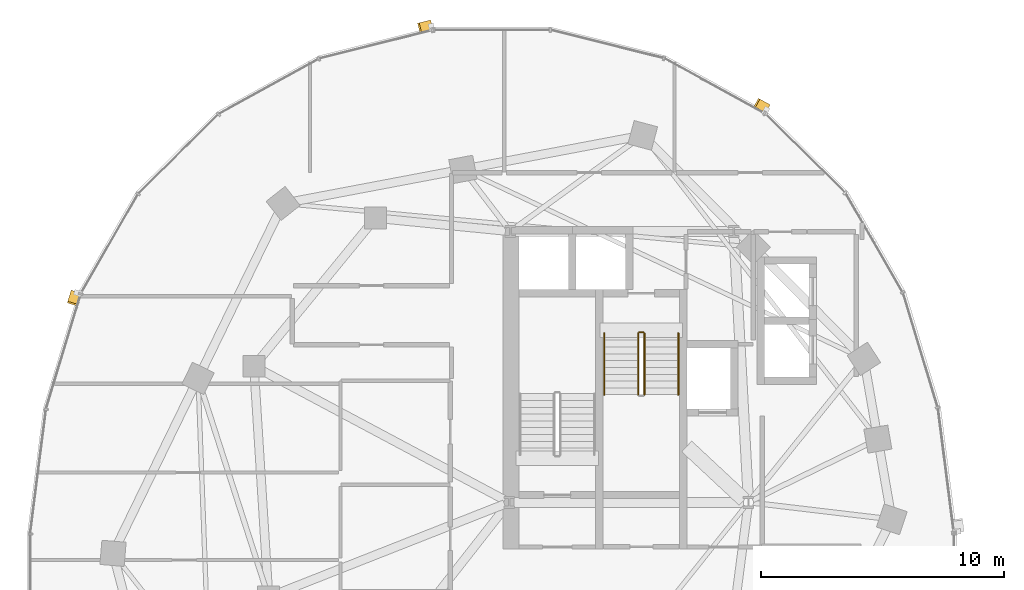
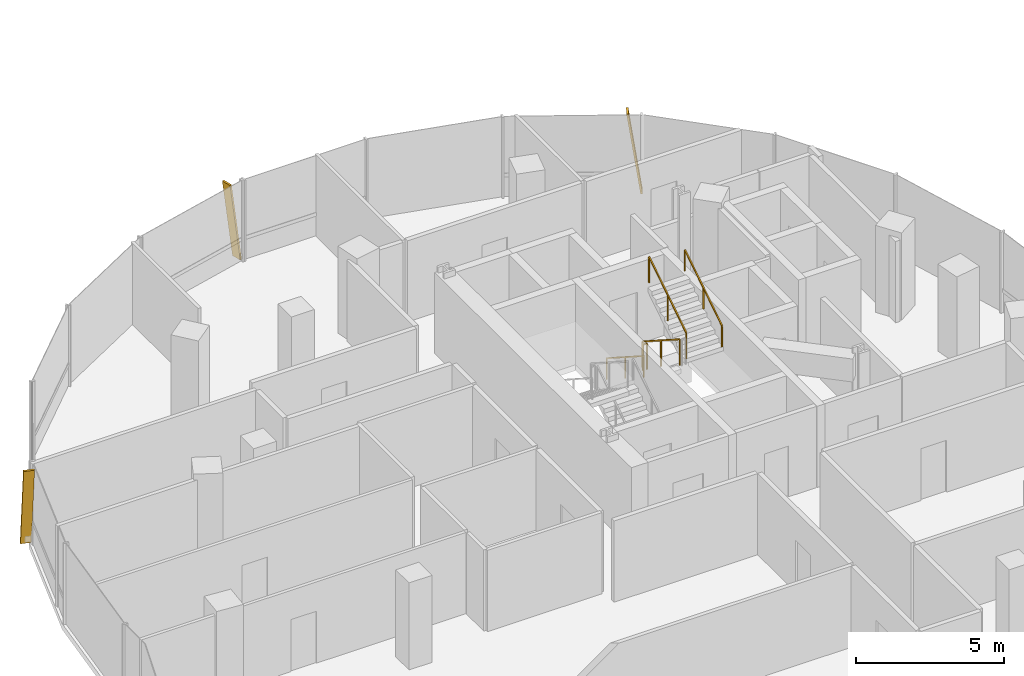
# One storey, part 21 of 23: 5 railings, 3 shading devices.
"""IFC4 building model written with IfcOpenShell, lengths in metres."""

from ifc_helpers import new_model, si_unit, direction, frame, origin, origin_2d, place, context, subcontext, project, spatial, rectangle, extrude, material, material_profile, profile_set, type_object, element, save


model = new_model("IFC4")

# Units and contexts
model_context = context("Model", 3, precision=1e-05, world=origin(), true_north=direction((0.0, 1.0)))
body_context = subcontext(model_context, "Body", "Model", "MODEL_VIEW")
ifc_project = project(units=[si_unit("LENGTHUNIT", "METRE"), si_unit("AREAUNIT", "SQUARE_METRE"), si_unit("VOLUMEUNIT", "CUBIC_METRE"), si_unit("PLANEANGLEUNIT", "RADIAN"), si_unit("MASSUNIT", "GRAM", prefix="KILO"), si_unit("THERMODYNAMICTEMPERATUREUNIT", "KELVIN"), si_unit("POWERUNIT", "WATT")], contexts=[model_context])

# Site, building, storey
site_placement = place(None, origin())
site = spatial("IfcSite", under=ifc_project, at=site_placement, CompositionType="ELEMENT")
building_placement = place(site_placement, origin())
building = spatial("IfcBuilding", under=site, at=building_placement, Name="Cundina Bronze Exchange", CompositionType="ELEMENT")
storey_placement = place(building_placement, frame((0.0, 0.0, 169.199951171875)))
storey = spatial("IfcBuildingStorey", under=building, at=storey_placement, Name="L44", CompositionType="ELEMENT", Elevation=169.199951171875)

# Railings
ifc_material_1 = material(Name="Steel ASTM A36 Painted", Category="steel")
railing_type_1 = type_object("IfcRailingType", Name="RLG-HND-900", PredefinedType="HANDRAIL", material=ifc_material_1)
railing_1_placement = place(storey_placement, frame((-27.389892578125, 10.85009765625, 0.179931640625)))
element("IfcRailing", 1, at=railing_1_placement, inside=storey, type_object=railing_type_1, Name="L44 ST-W2 stair handrail 1", PredefinedType="HANDRAIL", context=body_context, shape_type="SweptSolid", body=[
    extrude(rectangle(XDim=0.048095703125, YDim=0.048095703125, at=origin_2d()), frame((0.0, 0.0, 0.8759765625), z_axis=(0.0, -0.841162588446, 0.540782303519), x_axis=(1.0, 0.0, 0.0)), (0.0, 0.0, 1.0), 2.995849609375),
    extrude(rectangle(XDim=0.0419921875, YDim=0.0419921875, at=origin_2d()), origin(), (0.0, 0.0, 1.0), 0.851806640625),
    extrude(rectangle(XDim=0.0419921875, YDim=0.0419921875, at=origin_2d()), frame((0.0, -1.260009765625, 0.81005859375)), (0.0, 0.0, 1.0), 0.851806640625),
    extrude(rectangle(XDim=0.0419921875, YDim=0.0419921875, at=origin_2d()), frame((0.0, -2.52001953125, 1.6201171875)), (0.0, 0.0, 1.0), 0.851806640625),
])
railing_2_placement = place(storey_placement, frame((-24.330078125, 8.330078125, 1.97998046875)))
element("IfcRailing", 2, at=railing_2_placement, inside=storey, type_object=railing_type_1, Name="L44 ST-W2 stair handrail 2", PredefinedType="HANDRAIL", context=body_context, shape_type="SweptSolid", body=[
    extrude(rectangle(XDim=0.048095703125, YDim=0.048095703125, at=origin_2d()), frame((0.0, 0.0, 0.8759765625), z_axis=(0.0, 0.841162588446, 0.540782303519), x_axis=(-1.0, 0.0, 0.0)), (0.0, 0.0, 1.0), 2.995849609375),
    extrude(rectangle(XDim=0.0419921875, YDim=0.0419921875, at=origin_2d()), origin(), (0.0, 0.0, 1.0), 0.851806640625),
    extrude(rectangle(XDim=0.0419921875, YDim=0.0419921875, at=origin_2d()), frame((0.0, 1.260009765625, 0.81005859375)), (0.0, 0.0, 1.0), 0.851806640625),
    extrude(rectangle(XDim=0.0419921875, YDim=0.0419921875, at=origin_2d()), frame((0.0, 2.52001953125, 1.6201171875)), (0.0, 0.0, 1.0), 0.851806640625),
])
railing_type_2 = type_object("IfcRailingType", Name="RLG-STG-1100", PredefinedType="GUARDRAIL", material=ifc_material_1)
railing_3_placement = place(storey_placement, frame((-25.989990234375, 10.85009765625, 0.179931640625)))
element("IfcRailing", 3, at=railing_3_placement, inside=storey, type_object=railing_type_2, Name="L44 ST-W2 stair guard 1", PredefinedType="GUARDRAIL", context=body_context, shape_type="SweptSolid", body=[
    extrude(rectangle(XDim=0.048095703125, YDim=0.048095703125, at=origin_2d()), frame((0.0, 0.0, 1.076171875), z_axis=(0.0, -0.841162588446, 0.540782303519), x_axis=(1.0, 0.0, 0.0)), (0.0, 0.0, 1.0), 2.995849609375),
    extrude(rectangle(XDim=0.0419921875, YDim=0.0419921875, at=origin_2d()), origin(), (0.0, 0.0, 1.0), 1.052001953125),
    extrude(rectangle(XDim=0.0419921875, YDim=0.0419921875, at=origin_2d()), frame((0.0, -1.260009765625, 0.81005859375)), (0.0, 0.0, 1.0), 1.052001953125),
    extrude(rectangle(XDim=0.0419921875, YDim=0.0419921875, at=origin_2d()), frame((0.0, -2.52001953125, 1.6201171875)), (0.0, 0.0, 1.0), 1.052001953125),
])
railing_4_placement = place(storey_placement, frame((-25.72998046875, 8.330078125, 1.97998046875)))
element("IfcRailing", 4, at=railing_4_placement, inside=storey, type_object=railing_type_2, Name="L44 ST-W2 stair guard 3", PredefinedType="GUARDRAIL", context=body_context, shape_type="SweptSolid", body=[
    extrude(rectangle(XDim=0.048095703125, YDim=0.048095703125, at=origin_2d()), frame((0.0, 0.0, 1.076171875), z_axis=(0.0, 0.841162588446, 0.540782303519), x_axis=(-1.0, 0.0, 0.0)), (0.0, 0.0, 1.0), 2.995849609375),
    extrude(rectangle(XDim=0.0419921875, YDim=0.0419921875, at=origin_2d()), origin(), (0.0, 0.0, 1.0), 1.052001953125),
    extrude(rectangle(XDim=0.0419921875, YDim=0.0419921875, at=origin_2d()), frame((0.0, 1.260009765625, 0.81005859375)), (0.0, 0.0, 1.0), 1.052001953125),
    extrude(rectangle(XDim=0.0419921875, YDim=0.0419921875, at=origin_2d()), frame((0.0, 2.52001953125, 1.6201171875)), (0.0, 0.0, 1.0), 1.052001953125),
])
railing_5_placement = place(storey_placement, frame((-25.93994140625, 10.89990234375, 0.0)))
element("IfcRailing", 5, at=railing_5_placement, inside=storey, type_object=railing_type_2, Name="L44 ST-W2 stair guard 4", PredefinedType="GUARDRAIL", context=body_context, shape_type="SweptSolid", body=[
    extrude(rectangle(XDim=0.048095703125, YDim=0.048095703125, at=origin_2d()), frame((0.0, 0.0, 1.076171875), z_axis=(1.0, 0.0, 0.0), x_axis=(0.0, 1.0, 0.0)), (0.0, 0.0, 1.0), 0.159912109375),
    extrude(rectangle(XDim=0.0419921875, YDim=0.0419921875, at=origin_2d()), origin(), (0.0, 0.0, 1.0), 1.052001953125),
    extrude(rectangle(XDim=0.0419921875, YDim=0.0419921875, at=origin_2d()), frame((0.159912109375, 0.0, 0.0)), (0.0, 0.0, 1.0), 1.052001953125),
])

# Shading devices
ifc_material_2 = material(Name="Anodised Bronze Aluminium 6063-T6", Category="aluminium")
ifc_material_profile = material_profile(ifc_material_2, rectangle(XDim=0.070068359375, YDim=0.3798828125, at=origin_2d()), Name="FIN70X380", Category="aluminium")
ifc_profile_set = profile_set([ifc_material_profile], Name="Anodised Bronze Aluminium 6063-T6")
shading_device_type = type_object("IfcShadingDeviceType", Name="SHD-FIN-BRZ380", PredefinedType="USERDEFINED", material=ifc_profile_set)
for number, where, z_axis, x_axis, name in (
    (6, (-20.679931640625, 20.11181640625, 0.02001953125), (-0.125324460949, 0.068993954111, 0.989713905017), (0.867011652888, -0.477309551067, 0.143060778049), "L44 Diagonal Bronze Solar Fin 5"),
    (7, (-34.51953125, 23.556396484375, 0.02001953125), (-0.138788401144, -0.034715294885, 0.989713407007), (0.960133415413, 0.240159223467, 0.14306422331), "L44 Diagonal Bronze Solar Fin 1"),
    (8, (-49.151123046875, 12.5439453125, 0.02001953125), (-0.041483395017, -0.136967981441, 0.989706471636), (0.286882504107, 0.947215566191, 0.143112193758), "L44 Diagonal Bronze Solar Fin 5"),
):
    element("IfcShadingDevice", number, at=place(storey_placement, frame(where, z_axis=z_axis, x_axis=x_axis)), inside=storey, type_object=shading_device_type, Name=name, ObjectType="FIN", PredefinedType="USERDEFINED", context=body_context, shape_type="SweptSolid", body=[
        extrude(rectangle(XDim=0.070068359375, YDim=0.3798828125, at=origin_2d()), origin(), (0.0, 0.0, 1.0), 3.3544921875),
    ])

save(model, "model.ifc")
